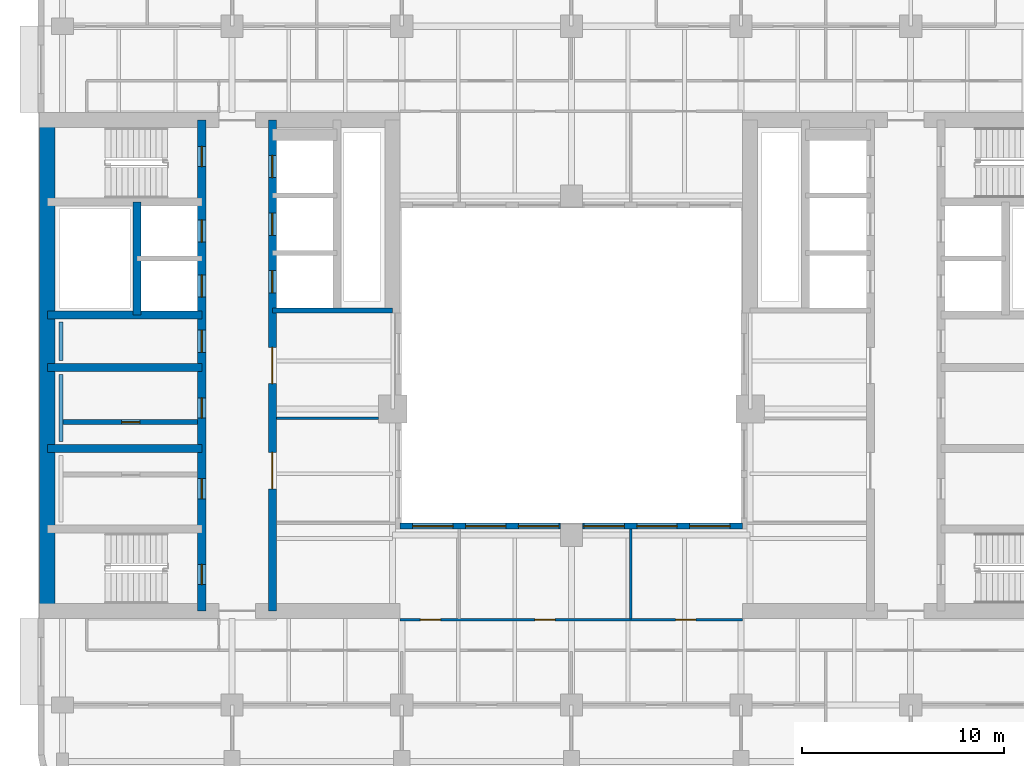
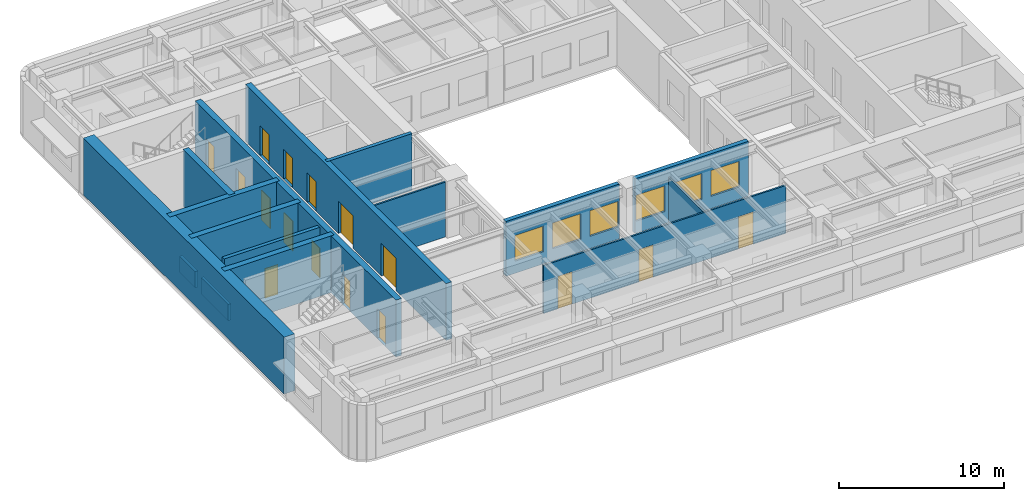
# One storey, part 4 of 12: 16 doors, 16 walls, 6 windows, 22 openings.
"""IFC4 building model written with IfcOpenShell, lengths in metres."""

from ifc_helpers import new_model, si_unit, direction, frame, frame_2d, origin, place, context, subcontext, project, spatial, rectangle, extrude, material, layer, layer_set, type_object, element, fill, save


model = new_model("IFC4")

# Units and contexts
model_context = context("Model", 3, precision=1e-05, world=origin(), true_north=direction((0.0, 1.0)))
body_context = subcontext(model_context, "Body", "Model", "MODEL_VIEW")
ifc_project = project(units=[si_unit("LENGTHUNIT", "METRE"), si_unit("AREAUNIT", "SQUARE_METRE"), si_unit("VOLUMEUNIT", "CUBIC_METRE"), si_unit("PLANEANGLEUNIT", "RADIAN"), si_unit("MASSUNIT", "GRAM", prefix="KILO")], contexts=[model_context])

# Site, building, storey
site_placement = place(None, origin())
site = spatial("IfcSite", under=ifc_project, at=site_placement, CompositionType="ELEMENT")
building_placement = place(site_placement, origin())
building = spatial("IfcBuilding", under=site, at=building_placement, Name="Claustro Exchange Tower", CompositionType="ELEMENT")
storey_placement = place(building_placement, frame((0.0, 0.0, 223.800048828125)))
storey = spatial("IfcBuildingStorey", under=building, at=storey_placement, Name="L51", CompositionType="ELEMENT", Elevation=223.800048828125)

# Walls
ifc_material_1 = material(Name="Laminated glass in aluminium frame", Category="aluminium")
ifc_layer_1 = layer(ifc_material_1, 0.1201171875)
ifc_layer_set_1 = layer_set([ifc_layer_1], Name="Laminated glass in aluminium frame")
wall_type_1 = type_object("IfcWallType", Name="P2 120 glazed partition", PredefinedType="PARTITIONING", material=ifc_layer_set_1)
wall_1_placement = place(storey_placement, frame((10.597900390625, 22.60009765625, 0.0), z_axis=(0.0, 0.0, 1.0), x_axis=(1.0, 0.0, 0.0)))
element("IfcWall", 1, at=wall_1_placement, inside=storey, type_object=wall_type_1, Name="Partition P2 L51", PredefinedType="PARTITIONING", context=body_context, shape_type="SweptSolid", body=[
    extrude(rectangle(XDim=5.052978515625, YDim=0.1201171875, at=frame_2d((2.5263671875, 0.0))), origin(), (0.0, 0.0, 1.0), 4.050048828125),
])
wall_2_placement = place(storey_placement, frame((28.1298828125, 12.657958984375, 0.0), z_axis=(0.0, 0.0, 1.0), x_axis=(0.0, 1.0, 0.0)))
element("IfcWall", 2, at=wall_2_placement, inside=storey, type_object=wall_type_1, Name="Partition P2 L51", PredefinedType="PARTITIONING", context=body_context, shape_type="SweptSolid", body=[
    extrude(rectangle(XDim=4.444091796875, YDim=0.1201171875, at=frame_2d((2.22216796875, 0.0))), origin(), (0.0, 0.0, 1.0), 3.35986328125),
])

# Wall, openings, doors
wall_3_placement = place(storey_placement, frame((16.72509765625, 12.614990234375, 0.0), z_axis=(0.0, 0.0, 1.0), x_axis=(1.0, 0.0, 0.0)))
wall_3 = element("IfcWall", 3, at=wall_3_placement, inside=storey, type_object=wall_type_1, Name="Partition P2 L51", PredefinedType="PARTITIONING", context=body_context, shape_type="SweptSolid", body=[
    extrude(rectangle(XDim=16.949951171875, YDim=0.1201171875, at=frame_2d((8.47509765625, 0.0))), origin(), (0.0, 0.0, 1.0), 3.550048828125),
])
opening_1_placement = place(wall_3_placement, frame((1.0, 0.0, 0.0)))
opening_1 = element("IfcOpeningElement", 4, at=opening_1_placement, cuts=wall_3, Name="Opening D7", PredefinedType="OPENING", context=body_context, shape_type="SweptSolid", body=[
    extrude(rectangle(XDim=1.0, YDim=2.39990234375, at=frame_2d((0.5, 1.199951171875))), frame((0.0, 0.070068359375, 0.0), z_axis=(0.0, -1.0, 0.0), x_axis=(1.0, 0.0, 0.0)), (0.0, 0.0, 1.0), 0.14013671875),
])
opening_2_placement = place(wall_3_placement, frame((6.6650390625, 0.0, 0.0)))
opening_2 = element("IfcOpeningElement", 5, at=opening_2_placement, cuts=wall_3, Name="Opening D7", PredefinedType="OPENING", context=body_context, shape_type="SweptSolid", body=[
    extrude(rectangle(XDim=1.0, YDim=2.39990234375, at=frame_2d((0.5, 1.199951171875))), frame((0.0, 0.070068359375, 0.0), z_axis=(0.0, -1.0, 0.0), x_axis=(1.0, 0.0, 0.0)), (0.0, 0.0, 1.0), 0.14013671875),
])
opening_3_placement = place(wall_3_placement, frame((13.639892578125, 0.0, 0.0)))
opening_3 = element("IfcOpeningElement", 6, at=opening_3_placement, cuts=wall_3, Name="Opening D7", PredefinedType="OPENING", context=body_context, shape_type="SweptSolid", body=[
    extrude(rectangle(XDim=1.0, YDim=2.39990234375, at=frame_2d((0.5, 1.199951171875))), frame((0.0, 0.070068359375, 0.0), z_axis=(0.0, -1.0, 0.0), x_axis=(1.0, 0.0, 0.0)), (0.0, 0.0, 1.0), 0.14013671875),
])
ifc_material_2 = material(Name="Glass door in aluminium frame", Category="aluminium")
door_type_1 = type_object("IfcDoorType", Name="D7 1000 x 2400 glazed door", OperationType="SINGLE_SWING_LEFT", PredefinedType="DOOR", material=ifc_material_2)
door_1_placement = place(opening_1_placement, origin())
door_1 = element("IfcDoor", 7, at=door_1_placement, inside=storey, type_object=door_type_1, Name="Door D7 L51", OperationType="SINGLE_SWING_RIGHT", OverallHeight=2.39990234375, OverallWidth=1.0, PredefinedType="DOOR", context=body_context, shape_type="SweptSolid", body=[
    extrude(rectangle(XDim=1.0, YDim=2.39990234375, at=frame_2d((0.5, 1.199951171875))), frame((0.0, 0.02490234375, 0.0), z_axis=(0.0, -1.0, 0.0), x_axis=(1.0, 0.0, 0.0)), (0.0, 0.0, 1.0), 0.050048828125),
])
fill(opening_1, door_1)
door_2_placement = place(opening_2_placement, origin())
door_2 = element("IfcDoor", 8, at=door_2_placement, inside=storey, type_object=door_type_1, Name="Door D7 L51", OperationType="SINGLE_SWING_RIGHT", OverallHeight=2.39990234375, OverallWidth=1.0, PredefinedType="DOOR", context=body_context, shape_type="SweptSolid", body=[
    extrude(rectangle(XDim=1.0, YDim=2.39990234375, at=frame_2d((0.5, 1.199951171875))), frame((0.0, 0.02490234375, 0.0), z_axis=(0.0, -1.0, 0.0), x_axis=(1.0, 0.0, 0.0)), (0.0, 0.0, 1.0), 0.050048828125),
])
fill(opening_2, door_2)
door_3_placement = place(opening_3_placement, origin())
door_3 = element("IfcDoor", 9, at=door_3_placement, inside=storey, type_object=door_type_1, Name="Door D7 L51", OperationType="SINGLE_SWING_RIGHT", OverallHeight=2.39990234375, OverallWidth=1.0, PredefinedType="DOOR", context=body_context, shape_type="SweptSolid", body=[
    extrude(rectangle(XDim=1.0, YDim=2.39990234375, at=frame_2d((0.5, 1.199951171875))), frame((0.0, 0.02490234375, 0.0), z_axis=(0.0, -1.0, 0.0), x_axis=(1.0, 0.0, 0.0)), (0.0, 0.0, 1.0), 0.050048828125),
])
fill(opening_3, door_3)

# Wall, opening, door
ifc_material_3 = material(Name="Concrete blockwork, rendered", Category="masonry")
ifc_layer_2 = layer(ifc_material_3, 0.25)
ifc_layer_set_2 = layer_set([ifc_layer_2], Name="Concrete blockwork, rendered")
wall_type_2 = type_object("IfcWallType", Name="P4 250 blockwork wall", PredefinedType="PARTITIONING", material=ifc_layer_set_2)
wall_4_placement = place(storey_placement, frame((0.02490234375, 22.39990234375, 0.0), z_axis=(0.0, 0.0, 1.0), x_axis=(1.0, 0.0, 0.0)))
wall_4 = element("IfcWall", 10, at=wall_4_placement, inside=storey, type_object=wall_type_2, Name="Partition P4 L51", PredefinedType="PARTITIONING", context=body_context, shape_type="SweptSolid", body=[
    extrude(rectangle(XDim=6.675048828125, YDim=0.25, at=frame_2d((3.33740234375, 0.0))), origin(), (0.0, 0.0, 1.0), 4.0),
])
opening_4_placement = place(wall_4_placement, frame((2.91259765625, 0.0, 0.0)))
opening_4 = element("IfcOpeningElement", 11, at=opening_4_placement, cuts=wall_4, Name="Opening D5", PredefinedType="OPENING", context=body_context, shape_type="SweptSolid", body=[
    extrude(rectangle(XDim=0.89990234375, YDim=2.199951171875, at=frame_2d((0.449951171875, 1.10009765625))), frame((0.0, 0.135009765625, 0.0), z_axis=(0.0, -1.0, 0.0), x_axis=(1.0, 0.0, 0.0)), (0.0, 0.0, 1.0), 0.27001953125),
])
ifc_material_4 = material(Name="Steel door, painted", Category="steel")
door_type_2 = type_object("IfcDoorType", Name="D5 900 x 2200 store door", OperationType="SINGLE_SWING_LEFT", PredefinedType="DOOR", material=ifc_material_4)
door_4_placement = place(opening_4_placement, frame((0.89990234375, 0.0, 0.0), z_axis=(0.0, 0.0, 1.0), x_axis=(-1.0, 0.0, 0.0)))
door_4 = element("IfcDoor", 12, at=door_4_placement, inside=storey, type_object=door_type_2, Name="Store door D5 L51", OperationType="SINGLE_SWING_LEFT", OverallHeight=2.199951171875, OverallWidth=0.89990234375, PredefinedType="DOOR", context=body_context, shape_type="SweptSolid", body=[
    extrude(rectangle(XDim=0.89990234375, YDim=2.199951171875, at=frame_2d((0.449951171875, 1.10009765625))), frame((0.0, 0.02490234375, 0.0), z_axis=(0.0, -1.0, 0.0), x_axis=(1.0, 0.0, 0.0)), (0.0, 0.0, 1.0), 0.050048828125),
])
fill(opening_4, door_4)

# Wall, openings, windows
ifc_material_5 = material(Name="Concrete HA-40 (C40/50), precast, white cement, acid-etched", Category="concrete")
ifc_layer_3 = layer(ifc_material_5, 0.300048828125)
ifc_layer_set_3 = layer_set([ifc_layer_3], Name="Concrete HA-40 (C40/50), precast, white cement, acid-etched")
wall_type_3 = type_object("IfcWallType", Name="PC1 300 precast concrete pier panel", PredefinedType="SOLIDWALL", material=ifc_layer_set_3)
wall_5_placement = place(storey_placement, frame((16.72509765625, 17.25, 0.0), z_axis=(0.0, 0.0, 1.0), x_axis=(1.0, 0.0, 0.0)))
wall_5 = element("IfcWall", 13, at=wall_5_placement, inside=storey, type_object=wall_type_3, Name="Precast pier panel PC1 L51", PredefinedType="SOLIDWALL", context=body_context, shape_type="SweptSolid", body=[
    extrude(rectangle(XDim=7.9248046875, YDim=0.300048828125, at=frame_2d((3.96240234375, 0.0))), origin(), (0.0, 0.0, 1.0), 4.050048828125),
])
opening_5_placement = place(wall_5_placement, frame((0.61865234375, 0.0, 0.89990234375)))
opening_5 = element("IfcOpeningElement", 14, at=opening_5_placement, cuts=wall_5, Name="Opening W4", PredefinedType="OPENING", context=body_context, shape_type="SweptSolid", body=[
    extrude(rectangle(XDim=2.0, YDim=1.89990234375, at=frame_2d((1.0, 0.949951171875))), frame((0.0, 0.159912109375, 0.0), z_axis=(0.0, -1.0, 0.0), x_axis=(1.0, 0.0, 0.0)), (0.0, 0.0, 1.0), 0.320068359375),
])
opening_6_placement = place(wall_5_placement, frame((3.237548828125, 0.0, 0.89990234375)))
opening_6 = element("IfcOpeningElement", 15, at=opening_6_placement, cuts=wall_5, Name="Opening W4", PredefinedType="OPENING", context=body_context, shape_type="SweptSolid", body=[
    extrude(rectangle(XDim=2.0, YDim=1.89990234375, at=frame_2d((1.0, 0.949951171875))), frame((0.0, 0.159912109375, 0.0), z_axis=(0.0, -1.0, 0.0), x_axis=(1.0, 0.0, 0.0)), (0.0, 0.0, 1.0), 0.320068359375),
])
opening_7_placement = place(wall_5_placement, frame((5.856201171875, 0.0, 0.89990234375)))
opening_7 = element("IfcOpeningElement", 16, at=opening_7_placement, cuts=wall_5, Name="Opening W4", PredefinedType="OPENING", context=body_context, shape_type="SweptSolid", body=[
    extrude(rectangle(XDim=2.0, YDim=1.89990234375, at=frame_2d((1.0, 0.949951171875))), frame((0.0, 0.159912109375, 0.0), z_axis=(0.0, -1.0, 0.0), x_axis=(1.0, 0.0, 0.0)), (0.0, 0.0, 1.0), 0.320068359375),
])
ifc_material_6 = material(Name="Aluminium frame, clear double glazing", Category="aluminium")
window_type = type_object("IfcWindowType", Name="W4 2000 x 1900 light well window", PartitioningType="SINGLE_PANEL", PredefinedType="WINDOW", material=ifc_material_6)
window_1_placement = place(opening_5_placement, origin())
window_1 = element("IfcWindow", 17, at=window_1_placement, inside=storey, type_object=window_type, Name="Window W4 L51", OverallHeight=1.89990234375, OverallWidth=2.0, PartitioningType="SINGLE_PANEL", PredefinedType="WINDOW", context=body_context, shape_type="SweptSolid", body=[
    extrude(rectangle(XDim=2.0, YDim=1.89990234375, at=frame_2d((1.0, 0.949951171875))), frame((0.0, 0.030029296875, 0.0), z_axis=(0.0, -1.0, 0.0), x_axis=(1.0, 0.0, 0.0)), (0.0, 0.0, 1.0), 0.06005859375),
])
fill(opening_5, window_1)
window_2_placement = place(opening_6_placement, origin())
window_2 = element("IfcWindow", 18, at=window_2_placement, inside=storey, type_object=window_type, Name="Window W4 L51", OverallHeight=1.89990234375, OverallWidth=2.0, PartitioningType="SINGLE_PANEL", PredefinedType="WINDOW", context=body_context, shape_type="SweptSolid", body=[
    extrude(rectangle(XDim=2.0, YDim=1.89990234375, at=frame_2d((1.0, 0.949951171875))), frame((0.0, 0.030029296875, 0.0), z_axis=(0.0, -1.0, 0.0), x_axis=(1.0, 0.0, 0.0)), (0.0, 0.0, 1.0), 0.06005859375),
])
fill(opening_6, window_2)
window_3_placement = place(opening_7_placement, origin())
window_3 = element("IfcWindow", 19, at=window_3_placement, inside=storey, type_object=window_type, Name="Window W4 L51", OverallHeight=1.89990234375, OverallWidth=2.0, PartitioningType="SINGLE_PANEL", PredefinedType="WINDOW", context=body_context, shape_type="SweptSolid", body=[
    extrude(rectangle(XDim=2.0, YDim=1.89990234375, at=frame_2d((1.0, 0.949951171875))), frame((0.0, 0.030029296875, 0.0), z_axis=(0.0, -1.0, 0.0), x_axis=(1.0, 0.0, 0.0)), (0.0, 0.0, 1.0), 0.06005859375),
])
fill(opening_7, window_3)

wall_6_placement = place(storey_placement, frame((25.75, 17.25, 0.0), z_axis=(0.0, 0.0, 1.0), x_axis=(1.0, 0.0, 0.0)))
wall_6 = element("IfcWall", 20, at=wall_6_placement, inside=storey, type_object=wall_type_3, Name="Precast pier panel PC1 L51", PredefinedType="SOLIDWALL", context=body_context, shape_type="SweptSolid", body=[
    extrude(rectangle(XDim=7.925048828125, YDim=0.300048828125, at=frame_2d((3.96240234375, 0.0))), origin(), (0.0, 0.0, 1.0), 4.050048828125),
])
opening_8_placement = place(wall_6_placement, frame((0.068603515625, 0.0, 0.89990234375)))
opening_8 = element("IfcOpeningElement", 21, at=opening_8_placement, cuts=wall_6, Name="Opening W4", PredefinedType="OPENING", context=body_context, shape_type="SweptSolid", body=[
    extrude(rectangle(XDim=2.0, YDim=1.89990234375, at=frame_2d((1.0, 0.949951171875))), frame((0.0, 0.159912109375, 0.0), z_axis=(0.0, -1.0, 0.0), x_axis=(1.0, 0.0, 0.0)), (0.0, 0.0, 1.0), 0.320068359375),
])
opening_9_placement = place(wall_6_placement, frame((2.6875, 0.0, 0.89990234375)))
opening_9 = element("IfcOpeningElement", 22, at=opening_9_placement, cuts=wall_6, Name="Opening W4", PredefinedType="OPENING", context=body_context, shape_type="SweptSolid", body=[
    extrude(rectangle(XDim=2.0, YDim=1.89990234375, at=frame_2d((1.0, 0.949951171875))), frame((0.0, 0.159912109375, 0.0), z_axis=(0.0, -1.0, 0.0), x_axis=(1.0, 0.0, 0.0)), (0.0, 0.0, 1.0), 0.320068359375),
])
opening_10_placement = place(wall_6_placement, frame((5.30615234375, 0.0, 0.89990234375)))
opening_10 = element("IfcOpeningElement", 23, at=opening_10_placement, cuts=wall_6, Name="Opening W4", PredefinedType="OPENING", context=body_context, shape_type="SweptSolid", body=[
    extrude(rectangle(XDim=2.0, YDim=1.89990234375, at=frame_2d((1.0, 0.949951171875))), frame((0.0, 0.159912109375, 0.0), z_axis=(0.0, -1.0, 0.0), x_axis=(1.0, 0.0, 0.0)), (0.0, 0.0, 1.0), 0.320068359375),
])
window_4_placement = place(opening_8_placement, origin())
window_4 = element("IfcWindow", 24, at=window_4_placement, inside=storey, type_object=window_type, Name="Window W4 L51", OverallHeight=1.89990234375, OverallWidth=2.0, PartitioningType="SINGLE_PANEL", PredefinedType="WINDOW", context=body_context, shape_type="SweptSolid", body=[
    extrude(rectangle(XDim=2.0, YDim=1.89990234375, at=frame_2d((1.0, 0.949951171875))), frame((0.0, 0.030029296875, 0.0), z_axis=(0.0, -1.0, 0.0), x_axis=(1.0, 0.0, 0.0)), (0.0, 0.0, 1.0), 0.06005859375),
])
fill(opening_8, window_4)
window_5_placement = place(opening_9_placement, origin())
window_5 = element("IfcWindow", 25, at=window_5_placement, inside=storey, type_object=window_type, Name="Window W4 L51", OverallHeight=1.89990234375, OverallWidth=2.0, PartitioningType="SINGLE_PANEL", PredefinedType="WINDOW", context=body_context, shape_type="SweptSolid", body=[
    extrude(rectangle(XDim=2.0, YDim=1.89990234375, at=frame_2d((1.0, 0.949951171875))), frame((0.0, 0.030029296875, 0.0), z_axis=(0.0, -1.0, 0.0), x_axis=(1.0, 0.0, 0.0)), (0.0, 0.0, 1.0), 0.06005859375),
])
fill(opening_9, window_5)
window_6_placement = place(opening_10_placement, origin())
window_6 = element("IfcWindow", 26, at=window_6_placement, inside=storey, type_object=window_type, Name="Window W4 L51", OverallHeight=1.89990234375, OverallWidth=2.0, PartitioningType="SINGLE_PANEL", PredefinedType="WINDOW", context=body_context, shape_type="SweptSolid", body=[
    extrude(rectangle(XDim=2.0, YDim=1.89990234375, at=frame_2d((1.0, 0.949951171875))), frame((0.0, 0.030029296875, 0.0), z_axis=(0.0, -1.0, 0.0), x_axis=(1.0, 0.0, 0.0)), (0.0, 0.0, 1.0), 0.06005859375),
])
fill(opening_10, window_6)

# Walls
ifc_material_7 = material(Name="Gypsum board on steel studs, tiled", Category="steel")
ifc_layer_4 = layer(ifc_material_7, 0.199951171875)
ifc_layer_set_4 = layer_set([ifc_layer_4], Name="Gypsum board on steel studs, tiled")
wall_type_4 = type_object("IfcWallType", Name="PW1 200 WC duct wall", PredefinedType="PLUMBINGWALL", material=ifc_layer_set_4)
wall_7_placement = place(storey_placement, frame((-0.074951171875, 21.449951171875, 0.0), z_axis=(0.0, 0.0, 1.0), x_axis=(0.0, 1.0, 0.0)))
element("IfcWall", 27, at=wall_7_placement, inside=storey, type_object=wall_type_4, Name="WC duct wall PW1 L51", PredefinedType="PLUMBINGWALL", context=body_context, shape_type="SweptSolid", body=[
    extrude(rectangle(XDim=3.300048828125, YDim=0.199951171875, at=frame_2d((1.64990234375, 0.0))), origin(), (0.0, 0.0, 1.0), 1.199951171875),
])
wall_8_placement = place(storey_placement, frame((-0.074951171875, 25.449951171875, 0.0), z_axis=(0.0, 0.0, 1.0), x_axis=(0.0, 1.0, 0.0)))
element("IfcWall", 28, at=wall_8_placement, inside=storey, type_object=wall_type_4, Name="WC duct wall PW1 L51", PredefinedType="PLUMBINGWALL", context=body_context, shape_type="SweptSolid", body=[
    extrude(rectangle(XDim=1.900146484375, YDim=0.199951171875, at=frame_2d((0.9501953125, 0.0))), origin(), (0.0, 0.0, 1.0), 1.199951171875),
])
ifc_material_8 = material(Name="Concrete HA-70 (C70/85)", Category="concrete")
ifc_layer_5 = layer(ifc_material_8, 0.75)
ifc_layer_set_5 = layer_set([ifc_layer_5], Name="Concrete HA-70 (C70/85)")
wall_type_5 = type_object("IfcWallType", Name="SW2X 750 exposed core shear wall, board-marked face", PredefinedType="SHEAR", material=ifc_layer_set_5)
wall_9_placement = place(storey_placement, frame((-0.75, 13.050048828125, 0.0), z_axis=(0.0, 0.0, 1.0), x_axis=(0.0, 1.0, 0.0)))
element("IfcWall", 29, at=wall_9_placement, inside=storey, type_object=wall_type_5, Name="Core wall SW2X W core W face L51", PredefinedType="SHEAR", context=body_context, shape_type="SweptSolid", body=[
    extrude(rectangle(XDim=24.300048828125, YDim=0.75, at=frame_2d((12.14990234375, 0.0))), origin(), (0.0, 0.0, 1.0), 4.199951171875),
])

# Wall, openings, doors
ifc_material_9 = material(Name="Concrete HA-50 (C50/60)", Category="concrete")
ifc_layer_6 = layer(ifc_material_9, 0.39990234375)
ifc_layer_set_6 = layer_set([ifc_layer_6], Name="Concrete HA-50 (C50/60)")
wall_type_6 = type_object("IfcWallType", Name="SW4 400 internal core wall", PredefinedType="SHEAR", material=ifc_layer_set_6)
wall_10_placement = place(storey_placement, frame((6.89990234375, 13.050048828125, 0.0), z_axis=(0.0, 0.0, 1.0), x_axis=(0.0, 1.0, 0.0)))
wall_10 = element("IfcWall", 30, at=wall_10_placement, inside=storey, type_object=wall_type_6, Name="Internal core wall SW4 W core L51", PredefinedType="SHEAR", context=body_context, shape_type="SweptSolid", body=[
    extrude(rectangle(XDim=24.300048828125, YDim=0.39990234375, at=frame_2d((12.14990234375, 0.0))), origin(), (0.0, 0.0, 1.0), 4.199951171875),
])
opening_11_placement = place(wall_10_placement, frame((1.300048828125, 0.0, 0.0)))
opening_11 = element("IfcOpeningElement", 31, at=opening_11_placement, cuts=wall_10, Name="Opening D4", PredefinedType="OPENING", context=body_context, shape_type="SweptSolid", body=[
    extrude(rectangle(XDim=1.0, YDim=2.199951171875, at=frame_2d((0.5, 1.10009765625))), frame((0.0, 0.2099609375, 0.0), z_axis=(0.0, -1.0, 0.0), x_axis=(1.0, 0.0, 0.0)), (0.0, 0.0, 1.0), 0.419921875),
])
opening_12_placement = place(wall_10_placement, frame((22.0, 0.0, 0.0)))
opening_12 = element("IfcOpeningElement", 32, at=opening_12_placement, cuts=wall_10, Name="Opening D4", PredefinedType="OPENING", context=body_context, shape_type="SweptSolid", body=[
    extrude(rectangle(XDim=1.0, YDim=2.199951171875, at=frame_2d((0.5, 1.10009765625))), frame((0.0, 0.2099609375, 0.0), z_axis=(0.0, -1.0, 0.0), x_axis=(1.0, 0.0, 0.0)), (0.0, 0.0, 1.0), 0.419921875),
])
opening_13_placement = place(wall_10_placement, frame((5.550048828125, 0.0, 0.0)))
opening_13 = element("IfcOpeningElement", 33, at=opening_13_placement, cuts=wall_10, Name="Opening D1", PredefinedType="OPENING", context=body_context, shape_type="SweptSolid", body=[
    extrude(rectangle(XDim=1.0, YDim=2.199951171875, at=frame_2d((0.5, 1.10009765625))), frame((0.0, 0.2099609375, 0.0), z_axis=(0.0, -1.0, 0.0), x_axis=(1.0, 0.0, 0.0)), (0.0, 0.0, 1.0), 0.419921875),
])
opening_14_placement = place(wall_10_placement, frame((9.550048828125, 0.0, 0.0)))
opening_14 = element("IfcOpeningElement", 34, at=opening_14_placement, cuts=wall_10, Name="Opening D1", PredefinedType="OPENING", context=body_context, shape_type="SweptSolid", body=[
    extrude(rectangle(XDim=1.0, YDim=2.199951171875, at=frame_2d((0.5, 1.10009765625))), frame((0.0, 0.2099609375, 0.0), z_axis=(0.0, -1.0, 0.0), x_axis=(1.0, 0.0, 0.0)), (0.0, 0.0, 1.0), 0.419921875),
])
opening_15_placement = place(wall_10_placement, frame((12.800048828125, 0.0, 0.0)))
opening_15 = element("IfcOpeningElement", 35, at=opening_15_placement, cuts=wall_10, Name="Opening D10", PredefinedType="OPENING", context=body_context, shape_type="SweptSolid", body=[
    extrude(rectangle(XDim=1.10009765625, YDim=2.199951171875, at=frame_2d((0.550048828125, 1.10009765625))), frame((0.0, 0.2099609375, 0.0), z_axis=(0.0, -1.0, 0.0), x_axis=(1.0, 0.0, 0.0)), (0.0, 0.0, 1.0), 0.419921875),
])
opening_16_placement = place(wall_10_placement, frame((15.53759765625, 0.0, 0.0)))
opening_16 = element("IfcOpeningElement", 36, at=opening_16_placement, cuts=wall_10, Name="Opening LD", PredefinedType="OPENING", context=body_context, shape_type="SweptSolid", body=[
    extrude(rectangle(XDim=1.10009765625, YDim=2.199951171875, at=frame_2d((0.550048828125, 1.10009765625))), frame((0.0, 0.2099609375, 0.0), z_axis=(0.0, -1.0, 0.0), x_axis=(1.0, 0.0, 0.0)), (0.0, 0.0, 1.0), 0.419921875),
])
opening_17_placement = place(wall_10_placement, frame((18.262451171875, 0.0, 0.0)))
opening_17 = element("IfcOpeningElement", 37, at=opening_17_placement, cuts=wall_10, Name="Opening LD", PredefinedType="OPENING", context=body_context, shape_type="SweptSolid", body=[
    extrude(rectangle(XDim=1.10009765625, YDim=2.199951171875, at=frame_2d((0.550048828125, 1.10009765625))), frame((0.0, 0.2099609375, 0.0), z_axis=(0.0, -1.0, 0.0), x_axis=(1.0, 0.0, 0.0)), (0.0, 0.0, 1.0), 0.419921875),
])
ifc_material_10 = material(Name="Timber door, oak veneer", Category="wood")
door_type_3 = type_object("IfcDoorType", Name="D1 1000 x 2200 single door", OperationType="SINGLE_SWING_LEFT", PredefinedType="DOOR", material=ifc_material_10)
door_5_placement = place(opening_13_placement, origin())
door_5 = element("IfcDoor", 38, at=door_5_placement, inside=storey, type_object=door_type_3, Name="Door D1 L51", OperationType="SINGLE_SWING_RIGHT", OverallHeight=2.199951171875, OverallWidth=1.0, PredefinedType="DOOR", context=body_context, shape_type="SweptSolid", body=[
    extrude(rectangle(XDim=1.0, YDim=2.199951171875, at=frame_2d((0.5, 1.10009765625))), frame((0.0, 0.02490234375, 0.0), z_axis=(0.0, -1.0, 0.0), x_axis=(1.0, 0.0, 0.0)), (0.0, 0.0, 1.0), 0.050048828125),
])
fill(opening_13, door_5)
door_6_placement = place(opening_14_placement, origin())
door_6 = element("IfcDoor", 39, at=door_6_placement, inside=storey, type_object=door_type_3, Name="Door D1 L51", OperationType="SINGLE_SWING_LEFT", OverallHeight=2.199951171875, OverallWidth=1.0, PredefinedType="DOOR", context=body_context, shape_type="SweptSolid", body=[
    extrude(rectangle(XDim=1.0, YDim=2.199951171875, at=frame_2d((0.5, 1.10009765625))), frame((0.0, 0.02490234375, 0.0), z_axis=(0.0, -1.0, 0.0), x_axis=(1.0, 0.0, 0.0)), (0.0, 0.0, 1.0), 0.050048828125),
])
fill(opening_14, door_6)
ifc_material_11 = material(Name="Timber door, oak veneer", Category="wood")
door_type_4 = type_object("IfcDoorType", Name="D10 1100 x 2200 accessible WC door", OperationType="SINGLE_SWING_LEFT", PredefinedType="DOOR", material=ifc_material_11)
door_7_placement = place(opening_15_placement, frame((1.10009765625, 0.0, 0.0), z_axis=(0.0, 0.0, 1.0), x_axis=(-1.0, 0.0, 0.0)))
door_7 = element("IfcDoor", 40, at=door_7_placement, inside=storey, type_object=door_type_4, Name="Accessible WC door D10 L51", OperationType="SINGLE_SWING_LEFT", OverallHeight=2.199951171875, OverallWidth=1.10009765625, PredefinedType="DOOR", context=body_context, shape_type="SweptSolid", body=[
    extrude(rectangle(XDim=1.10009765625, YDim=2.199951171875, at=frame_2d((0.550048828125, 1.10009765625))), frame((0.0, 0.02490234375, 0.0), z_axis=(0.0, -1.0, 0.0), x_axis=(1.0, 0.0, 0.0)), (0.0, 0.0, 1.0), 0.050048828125),
])
fill(opening_15, door_7)
ifc_material_12 = material(Name="Steel fire door, painted", Category="steel")
door_type_5 = type_object("IfcDoorType", Name="D4 1000 x 2200 fire-rated stair door", OperationType="SINGLE_SWING_LEFT", PredefinedType="DOOR", material=ifc_material_12)
door_8_placement = place(opening_11_placement, origin())
door_8 = element("IfcDoor", 41, at=door_8_placement, inside=storey, type_object=door_type_5, Name="Stair door D4 L51", OperationType="SINGLE_SWING_LEFT", OverallHeight=2.199951171875, OverallWidth=1.0, PredefinedType="DOOR", context=body_context, shape_type="SweptSolid", body=[
    extrude(rectangle(XDim=1.0, YDim=2.199951171875, at=frame_2d((0.5, 1.10009765625))), frame((0.0, 0.02490234375, 0.0), z_axis=(0.0, -1.0, 0.0), x_axis=(1.0, 0.0, 0.0)), (0.0, 0.0, 1.0), 0.050048828125),
])
fill(opening_11, door_8)
door_9_placement = place(opening_12_placement, origin())
door_9 = element("IfcDoor", 42, at=door_9_placement, inside=storey, type_object=door_type_5, Name="Stair door D4 L51", OperationType="SINGLE_SWING_RIGHT", OverallHeight=2.199951171875, OverallWidth=1.0, PredefinedType="DOOR", context=body_context, shape_type="SweptSolid", body=[
    extrude(rectangle(XDim=1.0, YDim=2.199951171875, at=frame_2d((0.5, 1.10009765625))), frame((0.0, 0.02490234375, 0.0), z_axis=(0.0, -1.0, 0.0), x_axis=(1.0, 0.0, 0.0)), (0.0, 0.0, 1.0), 0.050048828125),
])
fill(opening_12, door_9)
ifc_material_13 = material(Name="Stainless steel sliding door", Category="steel")
door_type_6 = type_object("IfcDoorType", Name="LD 1100 x 2200 lift landing door", OperationType="DOUBLE_DOOR_SLIDING", PredefinedType="DOOR", material=ifc_material_13)
door_10_placement = place(opening_16_placement, origin())
door_10 = element("IfcDoor", 43, at=door_10_placement, inside=storey, type_object=door_type_6, Name="Lift landing door LEW1 LD L51", OperationType="DOUBLE_DOOR_SLIDING", OverallHeight=2.199951171875, OverallWidth=1.10009765625, PredefinedType="DOOR", context=body_context, shape_type="SweptSolid", body=[
    extrude(rectangle(XDim=1.10009765625, YDim=2.199951171875, at=frame_2d((0.550048828125, 1.10009765625))), frame((0.0, 0.02490234375, 0.0), z_axis=(0.0, -1.0, 0.0), x_axis=(1.0, 0.0, 0.0)), (0.0, 0.0, 1.0), 0.050048828125),
])
fill(opening_16, door_10)
door_11_placement = place(opening_17_placement, origin())
door_11 = element("IfcDoor", 44, at=door_11_placement, inside=storey, type_object=door_type_6, Name="Lift landing door LEW2 LD L51", OperationType="DOUBLE_DOOR_SLIDING", OverallHeight=2.199951171875, OverallWidth=1.10009765625, PredefinedType="DOOR", context=body_context, shape_type="SweptSolid", body=[
    extrude(rectangle(XDim=1.10009765625, YDim=2.199951171875, at=frame_2d((0.550048828125, 1.10009765625))), frame((0.0, 0.02490234375, 0.0), z_axis=(0.0, -1.0, 0.0), x_axis=(1.0, 0.0, 0.0)), (0.0, 0.0, 1.0), 0.050048828125),
])
fill(opening_17, door_11)

wall_11_placement = place(storey_placement, frame((10.39990234375, 13.050048828125, 0.0), z_axis=(0.0, 0.0, 1.0), x_axis=(0.0, 1.0, 0.0)))
wall_11 = element("IfcWall", 45, at=wall_11_placement, inside=storey, type_object=wall_type_6, Name="Internal core wall SW4 W core L51", PredefinedType="SHEAR", context=body_context, shape_type="SweptSolid", body=[
    extrude(rectangle(XDim=24.300048828125, YDim=0.39990234375, at=frame_2d((12.14990234375, 0.0))), origin(), (0.0, 0.0, 1.0), 4.199951171875),
])
opening_18_placement = place(wall_11_placement, frame((15.75, 0.0, 0.0)))
opening_18 = element("IfcOpeningElement", 46, at=opening_18_placement, cuts=wall_11, Name="Opening LD", PredefinedType="OPENING", context=body_context, shape_type="SweptSolid", body=[
    extrude(rectangle(XDim=1.10009765625, YDim=2.199951171875, at=frame_2d((0.550048828125, 1.10009765625))), frame((0.0, 0.2099609375, 0.0), z_axis=(0.0, -1.0, 0.0), x_axis=(1.0, 0.0, 0.0)), (0.0, 0.0, 1.0), 0.419921875),
])
opening_19_placement = place(wall_11_placement, frame((18.60009765625, 0.0, 0.0)))
opening_19 = element("IfcOpeningElement", 47, at=opening_19_placement, cuts=wall_11, Name="Opening LD", PredefinedType="OPENING", context=body_context, shape_type="SweptSolid", body=[
    extrude(rectangle(XDim=1.10009765625, YDim=2.199951171875, at=frame_2d((0.550048828125, 1.10009765625))), frame((0.0, 0.2099609375, 0.0), z_axis=(0.0, -1.0, 0.0), x_axis=(1.0, 0.0, 0.0)), (0.0, 0.0, 1.0), 0.419921875),
])
opening_20_placement = place(wall_11_placement, frame((21.449951171875, 0.0, 0.0)))
opening_20 = element("IfcOpeningElement", 48, at=opening_20_placement, cuts=wall_11, Name="Opening LD", PredefinedType="OPENING", context=body_context, shape_type="SweptSolid", body=[
    extrude(rectangle(XDim=1.10009765625, YDim=2.199951171875, at=frame_2d((0.550048828125, 1.10009765625))), frame((0.0, 0.2099609375, 0.0), z_axis=(0.0, -1.0, 0.0), x_axis=(1.0, 0.0, 0.0)), (0.0, 0.0, 1.0), 0.419921875),
])
opening_21_placement = place(wall_11_placement, frame((6.050048828125, 0.0, 0.0)))
opening_21 = element("IfcOpeningElement", 49, at=opening_21_placement, cuts=wall_11, Name="Opening D3", PredefinedType="OPENING", context=body_context, shape_type="SweptSolid", body=[
    extrude(rectangle(XDim=1.800048828125, YDim=2.39990234375, at=frame_2d((0.89990234375, 1.199951171875))), frame((0.0, 0.2099609375, 0.0), z_axis=(0.0, -1.0, 0.0), x_axis=(1.0, 0.0, 0.0)), (0.0, 0.0, 1.0), 0.419921875),
])
opening_22_placement = place(wall_11_placement, frame((11.25, 0.0, 0.0)))
opening_22 = element("IfcOpeningElement", 50, at=opening_22_placement, cuts=wall_11, Name="Opening D3", PredefinedType="OPENING", context=body_context, shape_type="SweptSolid", body=[
    extrude(rectangle(XDim=1.800048828125, YDim=2.39990234375, at=frame_2d((0.89990234375, 1.199951171875))), frame((0.0, 0.2099609375, 0.0), z_axis=(0.0, -1.0, 0.0), x_axis=(1.0, 0.0, 0.0)), (0.0, 0.0, 1.0), 0.419921875),
])
ifc_material_14 = material(Name="Steel fire door, painted", Category="steel")
door_type_7 = type_object("IfcDoorType", Name="D3 1800 x 2400 fire-rated lobby double door", OperationType="DOUBLE_DOOR_SINGLE_SWING", PredefinedType="DOOR", material=ifc_material_14)
door_12_placement = place(opening_21_placement, frame((1.800048828125, 0.0, 0.0), z_axis=(0.0, 0.0, 1.0), x_axis=(-1.0, 0.0, 0.0)))
door_12 = element("IfcDoor", 51, at=door_12_placement, inside=storey, type_object=door_type_7, Name="Core zone door D3 L51", OperationType="DOUBLE_DOOR_SINGLE_SWING", OverallHeight=2.39990234375, OverallWidth=1.800048828125, PredefinedType="DOOR", context=body_context, shape_type="SweptSolid", body=[
    extrude(rectangle(XDim=1.800048828125, YDim=2.39990234375, at=frame_2d((0.89990234375, 1.199951171875))), frame((0.0, 0.02490234375, 0.0), z_axis=(0.0, -1.0, 0.0), x_axis=(1.0, 0.0, 0.0)), (0.0, 0.0, 1.0), 0.050048828125),
])
fill(opening_21, door_12)
door_13_placement = place(opening_22_placement, frame((1.800048828125, 0.0, 0.0), z_axis=(0.0, 0.0, 1.0), x_axis=(-1.0, 0.0, 0.0)))
door_13 = element("IfcDoor", 52, at=door_13_placement, inside=storey, type_object=door_type_7, Name="Core zone door D3 L51", OperationType="DOUBLE_DOOR_SINGLE_SWING", OverallHeight=2.39990234375, OverallWidth=1.800048828125, PredefinedType="DOOR", context=body_context, shape_type="SweptSolid", body=[
    extrude(rectangle(XDim=1.800048828125, YDim=2.39990234375, at=frame_2d((0.89990234375, 1.199951171875))), frame((0.0, 0.02490234375, 0.0), z_axis=(0.0, -1.0, 0.0), x_axis=(1.0, 0.0, 0.0)), (0.0, 0.0, 1.0), 0.050048828125),
])
fill(opening_22, door_13)
door_14_placement = place(opening_18_placement, origin())
door_14 = element("IfcDoor", 53, at=door_14_placement, inside=storey, type_object=door_type_6, Name="Lift landing door LHW1 LD L51", OperationType="DOUBLE_DOOR_SLIDING", OverallHeight=2.199951171875, OverallWidth=1.10009765625, PredefinedType="DOOR", context=body_context, shape_type="SweptSolid", body=[
    extrude(rectangle(XDim=1.10009765625, YDim=2.199951171875, at=frame_2d((0.550048828125, 1.10009765625))), frame((0.0, 0.02490234375, 0.0), z_axis=(0.0, -1.0, 0.0), x_axis=(1.0, 0.0, 0.0)), (0.0, 0.0, 1.0), 0.050048828125),
])
fill(opening_18, door_14)
door_15_placement = place(opening_19_placement, origin())
door_15 = element("IfcDoor", 54, at=door_15_placement, inside=storey, type_object=door_type_6, Name="Lift landing door LHW2 LD L51", OperationType="DOUBLE_DOOR_SLIDING", OverallHeight=2.199951171875, OverallWidth=1.10009765625, PredefinedType="DOOR", context=body_context, shape_type="SweptSolid", body=[
    extrude(rectangle(XDim=1.10009765625, YDim=2.199951171875, at=frame_2d((0.550048828125, 1.10009765625))), frame((0.0, 0.02490234375, 0.0), z_axis=(0.0, -1.0, 0.0), x_axis=(1.0, 0.0, 0.0)), (0.0, 0.0, 1.0), 0.050048828125),
])
fill(opening_19, door_15)
door_16_placement = place(opening_20_placement, origin())
door_16 = element("IfcDoor", 55, at=door_16_placement, inside=storey, type_object=door_type_6, Name="Lift landing door LSW1 LD L51", OperationType="DOUBLE_DOOR_SLIDING", OverallHeight=2.199951171875, OverallWidth=1.10009765625, PredefinedType="DOOR", context=body_context, shape_type="SweptSolid", body=[
    extrude(rectangle(XDim=1.10009765625, YDim=2.199951171875, at=frame_2d((0.550048828125, 1.10009765625))), frame((0.0, 0.02490234375, 0.0), z_axis=(0.0, -1.0, 0.0), x_axis=(1.0, 0.0, 0.0)), (0.0, 0.0, 1.0), 0.050048828125),
])
fill(opening_20, door_16)

# Walls
for number, where, z_axis, x_axis, name in (
    (56, (-0.75, 21.10009765625, 0.0), (0.0, 0.0, 1.0), (1.0, 0.0, 0.0), "Internal core wall SW4 W core L51"),
    (57, (-0.75, 25.10009765625, 0.0), (0.0, 0.0, 1.0), (1.0, 0.0, 0.0), "Internal core wall SW4 W core L51"),
    (58, (-0.75, 27.699951171875, 0.0), (0.0, 0.0, 1.0), (1.0, 0.0, 0.0), "Internal core wall SW4 W core L51"),
):
    element("IfcWall", number, at=place(storey_placement, frame(where, z_axis=z_axis, x_axis=x_axis)), inside=storey, type_object=wall_type_6, Name=name, PredefinedType="SHEAR", context=body_context, shape_type="SweptSolid", body=[
        extrude(rectangle(XDim=7.64990234375, YDim=0.39990234375, at=frame_2d((3.824951171875, 0.0))), origin(), (0.0, 0.0, 1.0), 4.199951171875),
    ])
wall_12_placement = place(storey_placement, frame((3.699951171875, 27.699951171875, 0.0), z_axis=(0.0, 0.0, 1.0), x_axis=(0.0, 1.0, 0.0)))
element("IfcWall", 59, at=wall_12_placement, inside=storey, type_object=wall_type_6, Name="Internal core wall SW4 W core L51", PredefinedType="SHEAR", context=body_context, shape_type="SweptSolid", body=[
    extrude(rectangle(XDim=5.60009765625, YDim=0.39990234375, at=frame_2d((2.800048828125, 0.0))), origin(), (0.0, 0.0, 1.0), 4.199951171875),
])
ifc_material_15 = material(Name="Concrete HA-50 (C50/60)", Category="concrete")
ifc_layer_7 = layer(ifc_material_15, 0.25)
ifc_layer_set_7 = layer_set([ifc_layer_7], Name="Concrete HA-50 (C50/60)")
wall_type_7 = type_object("IfcWallType", Name="SW5 250 lift shaft divider wall", PredefinedType="SHEAR", material=ifc_layer_set_7)
wall_13_placement = place(storey_placement, frame((10.39990234375, 27.925048828125, 0.0), z_axis=(0.0, 0.0, 1.0), x_axis=(1.0, 0.0, 0.0)))
element("IfcWall", 60, at=wall_13_placement, inside=storey, type_object=wall_type_7, Name="Core step wall W core L51", PredefinedType="SHEAR", context=body_context, shape_type="SweptSolid", body=[
    extrude(rectangle(XDim=5.9501953125, YDim=0.25, at=frame_2d((2.97509765625, 0.0))), origin(), (0.0, 0.0, 1.0), 4.199951171875),
])

save(model, "model.ifc")
